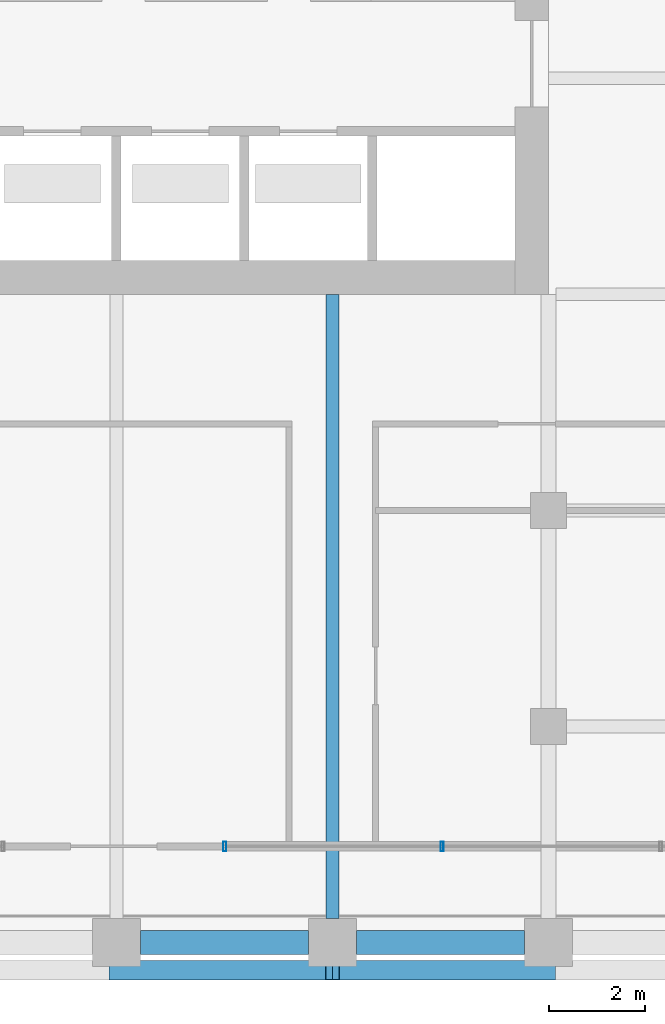
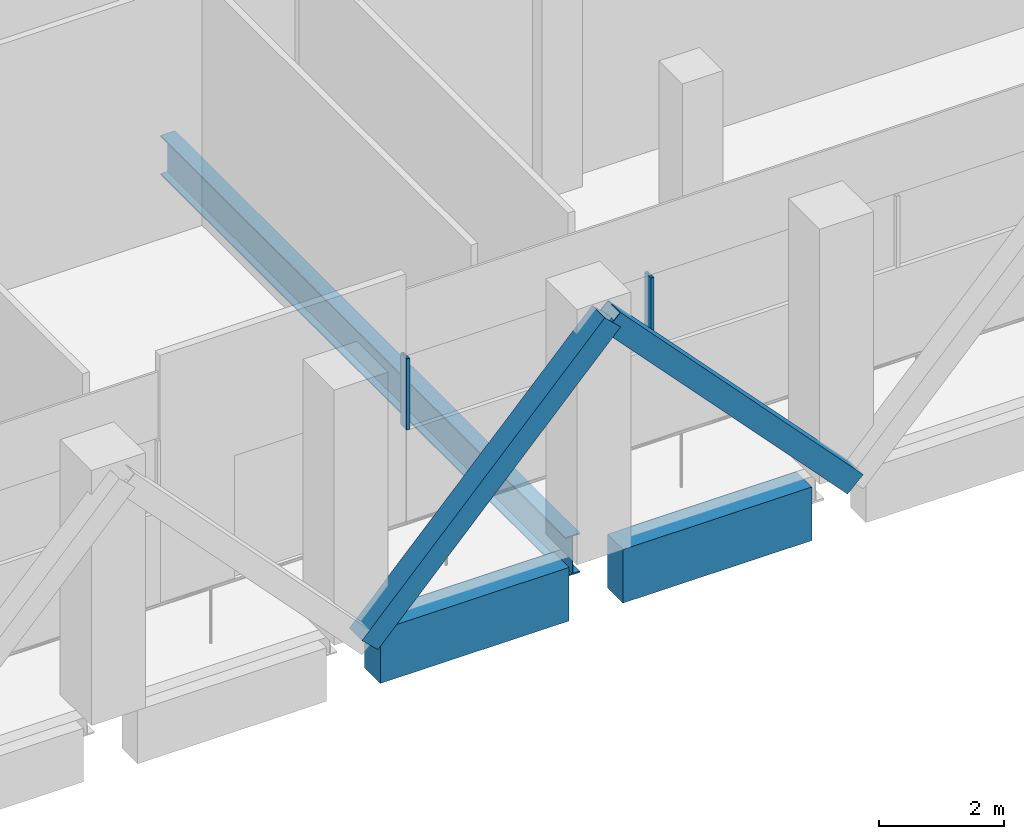
# One storey, part 6 of 48: 4 members, 3 beams, 1 element without a shape of its own.
"""IFC4 building model written with IfcOpenShell, lengths in metres."""

from ifc_helpers import new_model, si_unit, direction, frame, origin, origin_2d, place, context, subcontext, project, spatial, rectangle, hollow_rectangle, i_section, extrude, material, material_profile, profile_set, type_object, element, aggregate, save


model = new_model("IFC4")

# Units and contexts
model_context = context("Model", 3, precision=1e-05, world=origin(), true_north=direction((0.0, 1.0)))
body_context = subcontext(model_context, "Body", "Model", "MODEL_VIEW")
ifc_project = project(units=[si_unit("LENGTHUNIT", "METRE"), si_unit("AREAUNIT", "SQUARE_METRE"), si_unit("VOLUMEUNIT", "CUBIC_METRE"), si_unit("PLANEANGLEUNIT", "RADIAN"), si_unit("MASSUNIT", "GRAM", prefix="KILO")], contexts=[model_context])

# Site, building, storey
site_placement = place(None, origin())
site = spatial("IfcSite", under=ifc_project, at=site_placement, CompositionType="ELEMENT")
building_placement = place(site_placement, origin())
building = spatial("IfcBuilding", under=site, at=building_placement, Name="Altepetl Exchange Towers", CompositionType="ELEMENT")
storey_placement = place(building_placement, frame((0.0, 0.0, 138.800048828125)))
storey = spatial("IfcBuildingStorey", under=building, at=storey_placement, Name="L34 Refuge and sky lobby", CompositionType="ELEMENT", Elevation=138.800048828125)

# Members
ifc_material_1 = material(Name="Steel S355", Category="steel")
ifc_material_profile_1 = material_profile(ifc_material_1, hollow_rectangle(XDim=0.406005859375, YDim=0.406005859375, WallThickness=0.014892578125, at=origin_2d()), Name="HSS406X406X15.9")
ifc_profile_set_1 = profile_set([ifc_material_profile_1], Name="Steel S355")
member_type_1 = type_object("IfcMemberType", Name="Belt diagonal HSS406X406X15.9", PredefinedType="BRACE", material=ifc_profile_set_1)
for number, where, z_axis, x_axis, name in (
    (1, (49.5, 26.419921875, 0.0), (0.687744647911, 0.0, 0.725952683906), (0.0, 1.0, 0.0), "brc:A:L34:004"),
    (2, (54.0, 26.419921875, 4.75), (0.687744647911, 0.0, -0.725952683906), (0.0, 1.0, 0.0), "brc:A:L34:005"),
):
    element("IfcMember", number, at=place(storey_placement, frame(where, z_axis=z_axis, x_axis=x_axis)), inside=storey, type_object=member_type_1, Name=name, PredefinedType="BRACE", context=body_context, shape_type="SweptSolid", body=[
        extrude(hollow_rectangle(XDim=0.406005859375, YDim=0.406005859375, WallThickness=0.014892578125, at=origin_2d()), origin(), (0.0, 0.0, 1.0), 6.543212890625),
    ])

# Beam
ifc_material_profile_2 = material_profile(ifc_material_1, i_section(OverallWidth=0.26806640625, OverallDepth=0.77392578125, WebThickness=0.015380859375, FlangeThickness=0.025390625, at=origin_2d()), Name="W30X132")
ifc_profile_set_2 = profile_set([ifc_material_profile_2], Name="Steel S355")
beam_type_1 = type_object("IfcBeamType", Name="Floor beam W30X132", PredefinedType="BEAM", material=ifc_profile_set_2)
beam_placement = place(storey_placement, frame((54.0, 27.5, -0.587158203125), z_axis=(0.0, 1.0, 0.0), x_axis=(-1.0, 0.0, 0.0)))
element("IfcBeam", 3, at=beam_placement, inside=storey, type_object=beam_type_1, Name="bm:A:L34:017", PredefinedType="BEAM", context=body_context, shape_type="SweptSolid", body=[
    extrude(i_section(OverallWidth=0.26806640625, OverallDepth=0.77392578125, WebThickness=0.015380859375, FlangeThickness=0.025390625, at=origin_2d()), origin(), (0.0, 0.0, 1.0), 13.0),
])

# Curtain wall, members
ifc_material_2 = material(Name="Aluminium 6063-T6 glazing", Category="aluminium")
curtain_wall_type = type_object("IfcCurtainWallType", Name="Refuge slit glazing system", PredefinedType="NOTDEFINED", material=ifc_material_2)
curtain_wall_placement = place(storey_placement, origin())
curtain_wall = element("IfcCurtainWall", 4, at=curtain_wall_placement, inside=storey, type_object=curtain_wall_type, Name="CW3 run", PredefinedType="NOTDEFINED")
ifc_material_3 = material(Name="Aluminium 6063-T6", Category="aluminium")
ifc_material_profile_3 = material_profile(ifc_material_3, hollow_rectangle(XDim=0.06005859375, YDim=0.199951171875, WallThickness=0.0029296875, at=origin_2d()), Name="Mullion 60x200 aluminium")
ifc_profile_set_3 = profile_set([ifc_material_profile_3], Name="Aluminium 6063-T6")
member_type_2 = type_object("IfcMemberType", Name="Mullion 60x200 aluminium", PredefinedType="MULLION", material=ifc_profile_set_3)
member_1_placement = place(storey_placement, frame((51.758544921875, 29.0, 1.800048828125)))
member_1 = element("IfcMember", 5, at=member_1_placement, type_object=member_type_2, Name="MU2 mullion", PredefinedType="MULLION", context=body_context, shape_type="SweptSolid", body=[
    extrude(hollow_rectangle(XDim=0.06005859375, YDim=0.199951171875, WallThickness=0.0029296875, at=origin_2d()), origin(), (0.0, 0.0, 1.0), 1.39990234375),
])
member_2_placement = place(storey_placement, frame((56.28564453125, 29.0, 1.800048828125)))
member_2 = element("IfcMember", 6, at=member_2_placement, type_object=member_type_2, Name="MU2 mullion", PredefinedType="MULLION", context=body_context, shape_type="SweptSolid", body=[
    extrude(hollow_rectangle(XDim=0.06005859375, YDim=0.199951171875, WallThickness=0.0029296875, at=origin_2d()), origin(), (0.0, 0.0, 1.0), 1.39990234375),
])
aggregate(curtain_wall, [member_1, member_2])

# Beams
ifc_material_4 = material(Name="Concrete C50/60 precast with cantera blanca facing", Category="concrete")
ifc_material_profile_4 = material_profile(ifc_material_4, rectangle(XDim=0.5, YDim=1.050048828125, at=origin_2d()), Name="500 x 1050")
ifc_profile_set_4 = profile_set([ifc_material_profile_4], Name="Concrete C50/60 precast with cantera blanca facing")
beam_type_2 = type_object("IfcBeamType", Name="Spandrel beam 500x1050 cantera blanca", PredefinedType="SPANDREL", material=ifc_profile_set_4)
for number, where, z_axis, x_axis, name in (
    (7, (50.0, 27.0, -0.72509765625), (1.0, 0.0, 0.0), (0.0, 1.0, 0.0), "sp:A:L34:004"),
    (8, (54.5, 27.0, -0.72509765625), (1.0, 0.0, 0.0), (0.0, 1.0, 0.0), "sp:A:L34:005"),
):
    element("IfcBeam", number, at=place(storey_placement, frame(where, z_axis=z_axis, x_axis=x_axis)), inside=storey, type_object=beam_type_2, Name=name, PredefinedType="SPANDREL", context=body_context, shape_type="SweptSolid", body=[
        extrude(rectangle(XDim=0.5, YDim=1.050048828125, at=origin_2d()), origin(), (0.0, 0.0, 1.0), 3.5),
    ])

save(model, "model.ifc")
